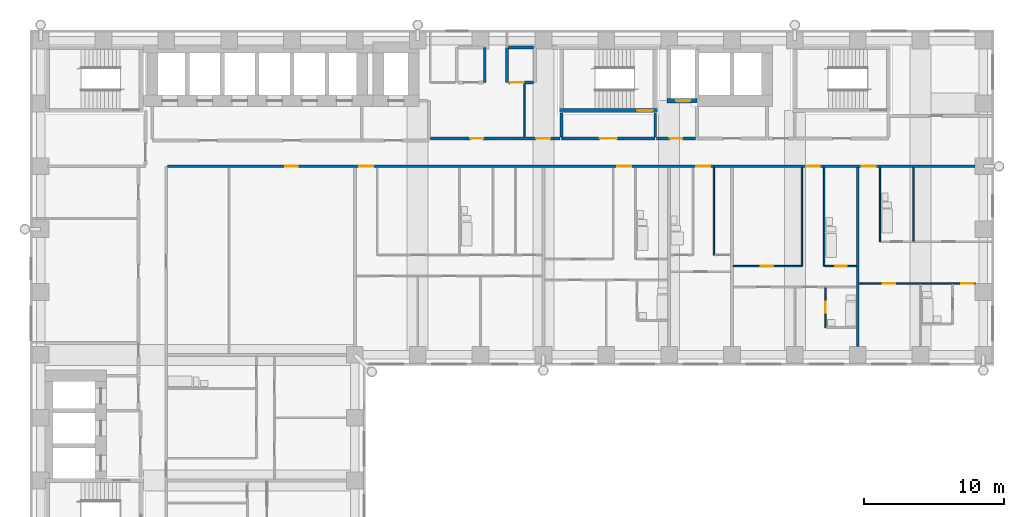
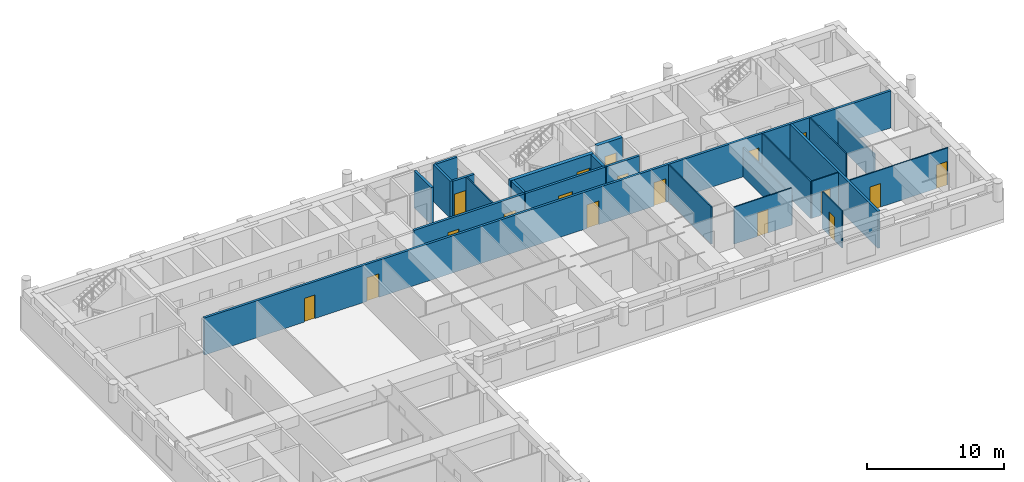
# One storey, part 9 of 14: 23 walls, 18 doors, 18 openings.
"""IFC4 building model written with IfcOpenShell, lengths in metres."""

from ifc_helpers import new_model, si_unit, direction, frame, frame_2d, origin, place, context, subcontext, project, spatial, rectangle, extrude, material, layer, layer_set, type_object, element, fill, save


model = new_model("IFC4")

# Units and contexts
model_context = context("Model", 3, precision=1e-05, world=origin(), true_north=direction((0.0, 1.0)))
body_context = subcontext(model_context, "Body", "Model", "MODEL_VIEW")
ifc_project = project(units=[si_unit("LENGTHUNIT", "METRE"), si_unit("AREAUNIT", "SQUARE_METRE"), si_unit("VOLUMEUNIT", "CUBIC_METRE"), si_unit("PLANEANGLEUNIT", "RADIAN"), si_unit("MASSUNIT", "GRAM", prefix="KILO")], contexts=[model_context])

# Site, building, storey
site_placement = place(None, origin())
site = spatial("IfcSite", under=ifc_project, at=site_placement, CompositionType="ELEMENT")
building_placement = place(site_placement, origin())
building = spatial("IfcBuilding", under=site, at=building_placement, Name="Firuza Court", CompositionType="ELEMENT")
storey_placement = place(building_placement, frame((0.0, 0.0, 68.60009765625)))
storey = spatial("IfcBuildingStorey", under=building, at=storey_placement, Name="L16", CompositionType="ELEMENT", Elevation=68.60009765625)

# Wall, opening, door
ifc_material_1 = material(Name="Moisture-resistant gypsum board partition")
ifc_layer_1 = layer(ifc_material_1, 0.10009765625)
ifc_layer_set_1 = layer_set([ifc_layer_1], Name="Moisture-resistant gypsum board partition")
wall_type_1 = type_object("IfcWallType", Name="Bathroom partition 100", PredefinedType="PLUMBINGWALL", material=ifc_layer_set_1)
wall_1_placement = place(storey_placement, frame((56.199951171875, 37.949951171875, 0.0), z_axis=(0.0, 0.0, 1.0), x_axis=(0.0, 1.0, 0.0)))
wall_1 = element("IfcWall", 1, at=wall_1_placement, inside=storey, type_object=wall_type_1, Name="Bathroom partition 100 L16", PredefinedType="PLUMBINGWALL", context=body_context, shape_type="SweptSolid", body=[
    extrude(rectangle(XDim=2.85009765625, YDim=0.10009765625, at=frame_2d((1.425048828125, 0.0))), origin(), (0.0, 0.0, 1.0), 3.2998046875),
])
opening_1_placement = place(wall_1_placement, frame((1.050048828125, 0.0, 0.0)))
opening_1 = element("IfcOpeningElement", 2, at=opening_1_placement, cuts=wall_1, Name="Opening D16044", PredefinedType="OPENING", context=body_context, shape_type="SweptSolid", body=[
    extrude(rectangle(XDim=0.800048828125, YDim=2.10009765625, at=frame_2d((0.39990234375, 1.050048828125))), frame((0.0, 0.06201171875, 0.0), z_axis=(0.0, -1.0, 0.0), x_axis=(1.0, 0.0, 0.0)), (0.0, 0.0, 1.0), 0.1240234375),
])
ifc_material_2 = material(Name="Timber door leaf in hardwood frame", Category="wood")
door_type_1 = type_object("IfcDoorType", Name="Bathroom door 800", OperationType="SINGLE_SWING_LEFT", PredefinedType="DOOR", material=ifc_material_2)
door_1_placement = place(opening_1_placement, frame((0.800048828125, 0.0, 0.0), z_axis=(0.0, 0.0, 1.0), x_axis=(-1.0, 0.0, 0.0)))
door_1 = element("IfcDoor", 3, at=door_1_placement, inside=storey, type_object=door_type_1, Name="En-suite door", OperationType="SINGLE_SWING_RIGHT", OverallHeight=2.10009765625, OverallWidth=0.800048828125, PredefinedType="DOOR", context=body_context, shape_type="SweptSolid", body=[
    extrude(rectangle(XDim=0.800048828125, YDim=2.10009765625, at=frame_2d((0.39990234375, 1.050048828125))), frame((0.0, 0.02490234375, 0.0), z_axis=(0.0, -1.0, 0.0), x_axis=(1.0, 0.0, 0.0)), (0.0, 0.0, 1.0), 0.050048828125),
])
fill(opening_1, door_1)

# Walls
wall_2_placement = place(storey_placement, frame((56.10009765625, 42.35009765625, 0.0), z_axis=(0.0, 0.0, 1.0), x_axis=(0.0, 1.0, 0.0)))
element("IfcWall", 4, at=wall_2_placement, inside=storey, type_object=wall_type_1, Name="Bathroom partition 100 L16", PredefinedType="PLUMBINGWALL", context=body_context, shape_type="SweptSolid", body=[
    extrude(rectangle(XDim=7.0498046875, YDim=0.10009765625, at=frame_2d((3.52490234375, 0.0))), origin(), (0.0, 0.0, 1.0), 3.2998046875),
])
wall_3_placement = place(storey_placement, frame((60.10009765625, 44.10009765625, 0.0), z_axis=(0.0, 0.0, 1.0), x_axis=(0.0, 1.0, 0.0)))
element("IfcWall", 5, at=wall_3_placement, inside=storey, type_object=wall_type_1, Name="Bathroom partition 100 L16", PredefinedType="PLUMBINGWALL", context=body_context, shape_type="SweptSolid", body=[
    extrude(rectangle(XDim=5.2998046875, YDim=0.10009765625, at=frame_2d((2.64990234375, 0.0))), origin(), (0.0, 0.0, 1.0), 3.2998046875),
])
wall_4_placement = place(storey_placement, frame((62.5, 44.14990234375, 0.0), z_axis=(0.0, 0.0, 1.0), x_axis=(0.0, 1.0, 0.0)))
element("IfcWall", 6, at=wall_4_placement, inside=storey, type_object=wall_type_1, Name="Bathroom partition 100 L16", PredefinedType="PLUMBINGWALL", context=body_context, shape_type="SweptSolid", body=[
    extrude(rectangle(XDim=5.25, YDim=0.10009765625, at=frame_2d((2.625, 0.0))), origin(), (0.0, 0.0, 1.0), 2.39990234375),
])

# Wall, opening, door
ifc_material_3 = material(Name="Concrete C60/75", Category="concrete")
ifc_layer_2 = layer(ifc_material_3, 0.300048828125)
ifc_layer_set_2 = layer_set([ifc_layer_2], Name="Concrete C60/75")
wall_type_2 = type_object("IfcWallType", Name="Core wall 300 C60/75", PredefinedType="SHEAR", material=ifc_layer_set_2)
wall_5_placement = place(storey_placement, frame((37.14990234375, 53.5, -0.300048828125), z_axis=(0.0, 0.0, 1.0), x_axis=(1.0, 0.0, 0.0)))
wall_5 = element("IfcWall", 7, at=wall_5_placement, inside=storey, type_object=wall_type_2, Name="Core wall stair L16", PredefinedType="SHEAR", context=body_context, shape_type="SweptSolid", body=[
    extrude(rectangle(XDim=7.0, YDim=0.300048828125, at=frame_2d((3.5, 0.0))), origin(), (0.0, 0.0, 1.0), 3.599853515625),
])
opening_2_placement = place(wall_5_placement, frame((5.580078125, 0.0, 0.300048828125)))
opening_2 = element("IfcOpeningElement", 8, at=opening_2_placement, cuts=wall_5, Name="Opening D16013", PredefinedType="OPENING", context=body_context, shape_type="SweptSolid", body=[
    extrude(rectangle(XDim=1.10009765625, YDim=2.10009765625, at=frame_2d((0.550048828125, 1.050048828125))), frame((0.0, 0.162109375, 0.0), z_axis=(0.0, -1.0, 0.0), x_axis=(1.0, 0.0, 0.0)), (0.0, 0.0, 1.0), 0.323974609375),
])
ifc_material_4 = material(Name="Timber door leaf in hardwood frame", Category="wood")
door_type_2 = type_object("IfcDoorType", Name="Stair door 1100", OperationType="SINGLE_SWING_LEFT", PredefinedType="DOOR", material=ifc_material_4)
door_2_placement = place(opening_2_placement, origin())
door_2 = element("IfcDoor", 9, at=door_2_placement, inside=storey, type_object=door_type_2, Name="Stair door S1", OperationType="SINGLE_SWING_RIGHT", OverallHeight=2.10009765625, OverallWidth=1.10009765625, PredefinedType="DOOR", context=body_context, shape_type="SweptSolid", body=[
    extrude(rectangle(XDim=1.10009765625, YDim=2.10009765625, at=frame_2d((0.550048828125, 1.050048828125))), frame((0.0, 0.02490234375, 0.0), z_axis=(0.0, -1.0, 0.0), x_axis=(1.0, 0.0, 0.0)), (0.0, 0.0, 1.0), 0.050048828125),
])
fill(opening_2, door_2)

wall_6_placement = place(storey_placement, frame((44.85009765625, 54.199951171875, -0.300048828125), z_axis=(0.0, 0.0, 1.0), x_axis=(1.0, 0.0, 0.0)))
wall_6 = element("IfcWall", 10, at=wall_6_placement, inside=storey, type_object=wall_type_2, Name="Core wall riser L16", PredefinedType="SHEAR", context=body_context, shape_type="SweptSolid", body=[
    extrude(rectangle(XDim=2.14990234375, YDim=0.300048828125, at=frame_2d((1.074951171875, 0.0))), origin(), (0.0, 0.0, 1.0), 3.599853515625),
])
opening_3_placement = place(wall_6_placement, frame((0.64990234375, 0.0, 0.300048828125)))
opening_3 = element("IfcOpeningElement", 11, at=opening_3_placement, cuts=wall_6, Name="Opening D16011", PredefinedType="OPENING", context=body_context, shape_type="SweptSolid", body=[
    extrude(rectangle(XDim=1.0, YDim=2.10009765625, at=frame_2d((0.5, 1.050048828125))), frame((0.0, 0.162109375, 0.0), z_axis=(0.0, -1.0, 0.0), x_axis=(1.0, 0.0, 0.0)), (0.0, 0.0, 1.0), 0.323974609375),
])
ifc_material_5 = material(Name="Timber door leaf in hardwood frame", Category="wood")
door_type_3 = type_object("IfcDoorType", Name="Riser door 1000", OperationType="SINGLE_SWING_LEFT", PredefinedType="DOOR", material=ifc_material_5)
door_3_placement = place(opening_3_placement, origin())
door_3 = element("IfcDoor", 12, at=door_3_placement, inside=storey, type_object=door_type_3, Name="Riser door R3", OperationType="SINGLE_SWING_LEFT", OverallHeight=2.10009765625, OverallWidth=1.0, PredefinedType="DOOR", context=body_context, shape_type="SweptSolid", body=[
    extrude(rectangle(XDim=1.0, YDim=2.10009765625, at=frame_2d((0.5, 1.050048828125))), frame((0.0, 0.02490234375, 0.0), z_axis=(0.0, -1.0, 0.0), x_axis=(1.0, 0.0, 0.0)), (0.0, 0.0, 1.0), 0.050048828125),
])
fill(opening_3, door_3)

# Wall, openings, doors
ifc_material_6 = material(Name="Blockwork, plastered both sides", Category="masonry")
ifc_layer_3 = layer(ifc_material_6, 0.199951171875)
ifc_layer_set_3 = layer_set([ifc_layer_3], Name="Blockwork, plastered both sides")
wall_type_3 = type_object("IfcWallType", Name="Corridor wall 200", PredefinedType="PARTITIONING", material=ifc_layer_set_3)
wall_7_placement = place(storey_placement, frame((9.10009765625, 49.5, 0.0), z_axis=(0.0, 0.0, 1.0), x_axis=(1.0, 0.0, 0.0)))
wall_7 = element("IfcWall", 13, at=wall_7_placement, inside=storey, type_object=wall_type_3, Name="Corridor wall 200 L16", PredefinedType="PARTITIONING", context=body_context, shape_type="SweptSolid", body=[
    extrude(rectangle(XDim=57.7998046875, YDim=0.199951171875, at=frame_2d((28.89990234375, 0.0))), origin(), (0.0, 0.0, 1.0), 3.2998046875),
])
opening_4_placement = place(wall_7_placement, frame((13.699951171875, 0.0, 0.0)))
opening_4 = element("IfcOpeningElement", 14, at=opening_4_placement, cuts=wall_7, Name="Opening D16069", PredefinedType="OPENING", context=body_context, shape_type="SweptSolid", body=[
    extrude(rectangle(XDim=1.0, YDim=2.10009765625, at=frame_2d((0.5, 1.050048828125))), frame((0.0, 0.11181640625, 0.0), z_axis=(0.0, -1.0, 0.0), x_axis=(1.0, 0.0, 0.0)), (0.0, 0.0, 1.0), 0.223876953125),
])
opening_5_placement = place(wall_7_placement, frame((32.199951171875, 0.0, 0.0)))
opening_5 = element("IfcOpeningElement", 15, at=opening_5_placement, cuts=wall_7, Name="Opening D16070", PredefinedType="OPENING", context=body_context, shape_type="SweptSolid", body=[
    extrude(rectangle(XDim=1.0, YDim=2.10009765625, at=frame_2d((0.5, 1.050048828125))), frame((0.0, 0.11181640625, 0.0), z_axis=(0.0, -1.0, 0.0), x_axis=(1.0, 0.0, 0.0)), (0.0, 0.0, 1.0), 0.223876953125),
])
opening_6_placement = place(wall_7_placement, frame((37.85009765625, 0.0, 0.0)))
opening_6 = element("IfcOpeningElement", 16, at=opening_6_placement, cuts=wall_7, Name="Opening D16071", PredefinedType="OPENING", context=body_context, shape_type="SweptSolid", body=[
    extrude(rectangle(XDim=1.0, YDim=2.10009765625, at=frame_2d((0.5, 1.050048828125))), frame((0.0, 0.11181640625, 0.0), z_axis=(0.0, -1.0, 0.0), x_axis=(1.0, 0.0, 0.0)), (0.0, 0.0, 1.0), 0.223876953125),
])
opening_7_placement = place(wall_7_placement, frame((45.699951171875, 0.0, 0.0)))
opening_7 = element("IfcOpeningElement", 17, at=opening_7_placement, cuts=wall_7, Name="Opening D16072", PredefinedType="OPENING", context=body_context, shape_type="SweptSolid", body=[
    extrude(rectangle(XDim=1.0, YDim=2.10009765625, at=frame_2d((0.5, 1.050048828125))), frame((0.0, 0.11181640625, 0.0), z_axis=(0.0, -1.0, 0.0), x_axis=(1.0, 0.0, 0.0)), (0.0, 0.0, 1.0), 0.223876953125),
])
opening_8_placement = place(wall_7_placement, frame((49.699951171875, 0.0, 0.0)))
opening_8 = element("IfcOpeningElement", 18, at=opening_8_placement, cuts=wall_7, Name="Opening D16073", PredefinedType="OPENING", context=body_context, shape_type="SweptSolid", body=[
    extrude(rectangle(XDim=1.0, YDim=2.10009765625, at=frame_2d((0.5, 1.050048828125))), frame((0.0, 0.11181640625, 0.0), z_axis=(0.0, -1.0, 0.0), x_axis=(1.0, 0.0, 0.0)), (0.0, 0.0, 1.0), 0.223876953125),
])
opening_9_placement = place(wall_7_placement, frame((8.39990234375, 0.0, 0.0)))
opening_9 = element("IfcOpeningElement", 19, at=opening_9_placement, cuts=wall_7, Name="Opening D16074", PredefinedType="OPENING", context=body_context, shape_type="SweptSolid", body=[
    extrude(rectangle(XDim=0.89990234375, YDim=2.10009765625, at=frame_2d((0.449951171875, 1.050048828125))), frame((0.0, 0.11181640625, 0.0), z_axis=(0.0, -1.0, 0.0), x_axis=(1.0, 0.0, 0.0)), (0.0, 0.0, 1.0), 0.223876953125),
])
ifc_material_7 = material(Name="Timber door leaf in hardwood frame", Category="wood")
door_type_4 = type_object("IfcDoorType", Name="Flat entrance door 1000", OperationType="SINGLE_SWING_LEFT", PredefinedType="DOOR", material=ifc_material_7)
door_4_placement = place(opening_4_placement, origin())
door_4 = element("IfcDoor", 20, at=door_4_placement, inside=storey, type_object=door_type_4, Name="Flat entrance door", OperationType="SINGLE_SWING_LEFT", OverallHeight=2.10009765625, OverallWidth=1.0, PredefinedType="DOOR", context=body_context, shape_type="SweptSolid", body=[
    extrude(rectangle(XDim=1.0, YDim=2.10009765625, at=frame_2d((0.5, 1.050048828125))), frame((0.0, 0.02490234375, 0.0), z_axis=(0.0, -1.0, 0.0), x_axis=(1.0, 0.0, 0.0)), (0.0, 0.0, 1.0), 0.050048828125),
])
fill(opening_4, door_4)
door_5_placement = place(opening_5_placement, origin())
door_5 = element("IfcDoor", 21, at=door_5_placement, inside=storey, type_object=door_type_4, Name="Flat entrance door", OperationType="SINGLE_SWING_LEFT", OverallHeight=2.10009765625, OverallWidth=1.0, PredefinedType="DOOR", context=body_context, shape_type="SweptSolid", body=[
    extrude(rectangle(XDim=1.0, YDim=2.10009765625, at=frame_2d((0.5, 1.050048828125))), frame((0.0, 0.02490234375, 0.0), z_axis=(0.0, -1.0, 0.0), x_axis=(1.0, 0.0, 0.0)), (0.0, 0.0, 1.0), 0.050048828125),
])
fill(opening_5, door_5)
door_6_placement = place(opening_6_placement, origin())
door_6 = element("IfcDoor", 22, at=door_6_placement, inside=storey, type_object=door_type_4, Name="Flat entrance door", OperationType="SINGLE_SWING_LEFT", OverallHeight=2.10009765625, OverallWidth=1.0, PredefinedType="DOOR", context=body_context, shape_type="SweptSolid", body=[
    extrude(rectangle(XDim=1.0, YDim=2.10009765625, at=frame_2d((0.5, 1.050048828125))), frame((0.0, 0.02490234375, 0.0), z_axis=(0.0, -1.0, 0.0), x_axis=(1.0, 0.0, 0.0)), (0.0, 0.0, 1.0), 0.050048828125),
])
fill(opening_6, door_6)
door_7_placement = place(opening_7_placement, origin())
door_7 = element("IfcDoor", 23, at=door_7_placement, inside=storey, type_object=door_type_4, Name="Flat entrance door", OperationType="SINGLE_SWING_LEFT", OverallHeight=2.10009765625, OverallWidth=1.0, PredefinedType="DOOR", context=body_context, shape_type="SweptSolid", body=[
    extrude(rectangle(XDim=1.0, YDim=2.10009765625, at=frame_2d((0.5, 1.050048828125))), frame((0.0, 0.02490234375, 0.0), z_axis=(0.0, -1.0, 0.0), x_axis=(1.0, 0.0, 0.0)), (0.0, 0.0, 1.0), 0.050048828125),
])
fill(opening_7, door_7)
door_8_placement = place(opening_8_placement, origin())
door_8 = element("IfcDoor", 24, at=door_8_placement, inside=storey, type_object=door_type_4, Name="Flat entrance door", OperationType="SINGLE_SWING_LEFT", OverallHeight=2.10009765625, OverallWidth=1.0, PredefinedType="DOOR", context=body_context, shape_type="SweptSolid", body=[
    extrude(rectangle(XDim=1.0, YDim=2.10009765625, at=frame_2d((0.5, 1.050048828125))), frame((0.0, 0.02490234375, 0.0), z_axis=(0.0, -1.0, 0.0), x_axis=(1.0, 0.0, 0.0)), (0.0, 0.0, 1.0), 0.050048828125),
])
fill(opening_8, door_8)
ifc_material_8 = material(Name="Timber door leaf in hardwood frame", Category="wood")
door_type_5 = type_object("IfcDoorType", Name="Room door 900 EI 30", OperationType="SINGLE_SWING_LEFT", PredefinedType="DOOR", material=ifc_material_8)
door_9_placement = place(opening_9_placement, origin())
door_9 = element("IfcDoor", 25, at=door_9_placement, inside=storey, type_object=door_type_5, Name="Residents' lounge door", OperationType="SINGLE_SWING_LEFT", OverallHeight=2.10009765625, OverallWidth=0.89990234375, PredefinedType="DOOR", context=body_context, shape_type="SweptSolid", body=[
    extrude(rectangle(XDim=0.89990234375, YDim=2.10009765625, at=frame_2d((0.449951171875, 1.050048828125))), frame((0.0, 0.02490234375, 0.0), z_axis=(0.0, -1.0, 0.0), x_axis=(1.0, 0.0, 0.0)), (0.0, 0.0, 1.0), 0.050048828125),
])
fill(opening_9, door_9)

wall_8_placement = place(storey_placement, frame((27.89990234375, 51.5, 0.0), z_axis=(0.0, 0.0, 1.0), x_axis=(1.0, 0.0, 0.0)))
wall_8 = element("IfcWall", 26, at=wall_8_placement, inside=storey, type_object=wall_type_3, Name="Corridor wall 200 L16", PredefinedType="PARTITIONING", context=body_context, shape_type="SweptSolid", body=[
    extrude(rectangle(XDim=9.300048828125, YDim=0.199951171875, at=frame_2d((4.64990234375, 0.0))), origin(), (0.0, 0.0, 1.0), 3.2998046875),
])
opening_10_placement = place(wall_8_placement, frame((2.875, 0.0, 0.0)))
opening_10 = element("IfcOpeningElement", 27, at=opening_10_placement, cuts=wall_8, Name="Opening D16075", PredefinedType="OPENING", context=body_context, shape_type="SweptSolid", body=[
    extrude(rectangle(XDim=0.89990234375, YDim=2.10009765625, at=frame_2d((0.449951171875, 1.050048828125))), frame((0.0, 0.11181640625, 0.0), z_axis=(0.0, -1.0, 0.0), x_axis=(1.0, 0.0, 0.0)), (0.0, 0.0, 1.0), 0.223876953125),
])
opening_11_placement = place(wall_8_placement, frame((7.574951171875, 0.0, 0.0)))
opening_11 = element("IfcOpeningElement", 28, at=opening_11_placement, cuts=wall_8, Name="Opening D16076", PredefinedType="OPENING", context=body_context, shape_type="SweptSolid", body=[
    extrude(rectangle(XDim=1.0, YDim=2.10009765625, at=frame_2d((0.5, 1.050048828125))), frame((0.0, 0.11181640625, 0.0), z_axis=(0.0, -1.0, 0.0), x_axis=(1.0, 0.0, 0.0)), (0.0, 0.0, 1.0), 0.223876953125),
])
door_10_placement = place(opening_10_placement, origin())
door_10 = element("IfcDoor", 29, at=door_10_placement, inside=storey, type_object=door_type_5, Name="Meeting room door", OperationType="SINGLE_SWING_LEFT", OverallHeight=2.10009765625, OverallWidth=0.89990234375, PredefinedType="DOOR", context=body_context, shape_type="SweptSolid", body=[
    extrude(rectangle(XDim=0.89990234375, YDim=2.10009765625, at=frame_2d((0.449951171875, 1.050048828125))), frame((0.0, 0.02490234375, 0.0), z_axis=(0.0, -1.0, 0.0), x_axis=(1.0, 0.0, 0.0)), (0.0, 0.0, 1.0), 0.050048828125),
])
fill(opening_10, door_10)
ifc_material_9 = material(Name="Timber door leaf in hardwood frame", Category="wood")
door_type_6 = type_object("IfcDoorType", Name="Store door 1000", OperationType="SINGLE_SWING_LEFT", PredefinedType="DOOR", material=ifc_material_9)
door_11_placement = place(opening_11_placement, origin())
door_11 = element("IfcDoor", 30, at=door_11_placement, inside=storey, type_object=door_type_6, Name="Cleaner's store door", OperationType="SINGLE_SWING_LEFT", OverallHeight=2.10009765625, OverallWidth=1.0, PredefinedType="DOOR", context=body_context, shape_type="SweptSolid", body=[
    extrude(rectangle(XDim=1.0, YDim=2.10009765625, at=frame_2d((0.5, 1.050048828125))), frame((0.0, 0.02490234375, 0.0), z_axis=(0.0, -1.0, 0.0), x_axis=(1.0, 0.0, 0.0)), (0.0, 0.0, 1.0), 0.050048828125),
])
fill(opening_11, door_11)

# Wall, opening, door
wall_9_placement = place(storey_placement, frame((44.10009765625, 51.5, 0.0), z_axis=(0.0, 0.0, 1.0), x_axis=(1.0, 0.0, 0.0)))
wall_9 = element("IfcWall", 31, at=wall_9_placement, inside=storey, type_object=wall_type_3, Name="Corridor wall 200 L16", PredefinedType="PARTITIONING", context=body_context, shape_type="SweptSolid", body=[
    extrude(rectangle(XDim=2.7998046875, YDim=0.199951171875, at=frame_2d((1.39990234375, 0.0))), origin(), (0.0, 0.0, 1.0), 3.2998046875),
])
opening_12_placement = place(wall_9_placement, frame((0.949951171875, 0.0, 0.0)))
opening_12 = element("IfcOpeningElement", 32, at=opening_12_placement, cuts=wall_9, Name="Opening D16077", PredefinedType="OPENING", context=body_context, shape_type="SweptSolid", body=[
    extrude(rectangle(XDim=0.89990234375, YDim=2.10009765625, at=frame_2d((0.449951171875, 1.050048828125))), frame((0.0, 0.11181640625, 0.0), z_axis=(0.0, -1.0, 0.0), x_axis=(1.0, 0.0, 0.0)), (0.0, 0.0, 1.0), 0.223876953125),
])
door_12_placement = place(opening_12_placement, origin())
door_12 = element("IfcDoor", 33, at=door_12_placement, inside=storey, type_object=door_type_5, Name="Concierge room door", OperationType="SINGLE_SWING_LEFT", OverallHeight=2.10009765625, OverallWidth=0.89990234375, PredefinedType="DOOR", context=body_context, shape_type="SweptSolid", body=[
    extrude(rectangle(XDim=0.89990234375, YDim=2.10009765625, at=frame_2d((0.449951171875, 1.050048828125))), frame((0.0, 0.02490234375, 0.0), z_axis=(0.0, -1.0, 0.0), x_axis=(1.0, 0.0, 0.0)), (0.0, 0.0, 1.0), 0.050048828125),
])
fill(opening_12, door_12)

# Wall, openings, doors
ifc_material_10 = material(Name="Timber stud partition, plasterboard both sides", Category="wood")
ifc_layer_4 = layer(ifc_material_10, 0.10009765625)
ifc_layer_set_4 = layer_set([ifc_layer_4], Name="Timber stud partition, plasterboard both sides")
wall_type_4 = type_object("IfcWallType", Name="Partition wall 100", PredefinedType="PARTITIONING", material=ifc_layer_set_4)
wall_10_placement = place(storey_placement, frame((58.60009765625, 41.10009765625, 0.0), z_axis=(0.0, 0.0, 1.0), x_axis=(1.0, 0.0, 0.0)))
wall_10 = element("IfcWall", 34, at=wall_10_placement, inside=storey, type_object=wall_type_4, Name="Partition wall 100 L16", PredefinedType="PARTITIONING", context=body_context, shape_type="SweptSolid", body=[
    extrude(rectangle(XDim=8.2998046875, YDim=0.10009765625, at=frame_2d((4.14990234375, 0.0))), origin(), (0.0, 0.0, 1.0), 3.2998046875),
])
opening_13_placement = place(wall_10_placement, frame((1.699951171875, 0.0, 0.0)))
opening_13 = element("IfcOpeningElement", 35, at=opening_13_placement, cuts=wall_10, Name="Opening D16049", PredefinedType="OPENING", context=body_context, shape_type="SweptSolid", body=[
    extrude(rectangle(XDim=0.89990234375, YDim=2.10009765625, at=frame_2d((0.449951171875, 1.050048828125))), frame((0.0, 0.06201171875, 0.0), z_axis=(0.0, -1.0, 0.0), x_axis=(1.0, 0.0, 0.0)), (0.0, 0.0, 1.0), 0.1240234375),
])
opening_14_placement = place(wall_10_placement, frame((7.300048828125, 0.0, 0.0)))
opening_14 = element("IfcOpeningElement", 36, at=opening_14_placement, cuts=wall_10, Name="Opening D16050", PredefinedType="OPENING", context=body_context, shape_type="SweptSolid", body=[
    extrude(rectangle(XDim=0.89990234375, YDim=2.10009765625, at=frame_2d((0.449951171875, 1.050048828125))), frame((0.0, 0.06201171875, 0.0), z_axis=(0.0, -1.0, 0.0), x_axis=(1.0, 0.0, 0.0)), (0.0, 0.0, 1.0), 0.1240234375),
])
ifc_material_11 = material(Name="Timber door leaf in hardwood frame", Category="wood")
door_type_7 = type_object("IfcDoorType", Name="Room door 900", OperationType="SINGLE_SWING_LEFT", PredefinedType="DOOR", material=ifc_material_11)
door_13_placement = place(opening_13_placement, frame((0.89990234375, 0.0, 0.0), z_axis=(0.0, 0.0, 1.0), x_axis=(-1.0, 0.0, 0.0)))
door_13 = element("IfcDoor", 37, at=door_13_placement, inside=storey, type_object=door_type_7, Name="Living room door", OperationType="SINGLE_SWING_RIGHT", OverallHeight=2.10009765625, OverallWidth=0.89990234375, PredefinedType="DOOR", context=body_context, shape_type="SweptSolid", body=[
    extrude(rectangle(XDim=0.89990234375, YDim=2.10009765625, at=frame_2d((0.449951171875, 1.050048828125))), frame((0.0, 0.02490234375, 0.0), z_axis=(0.0, -1.0, 0.0), x_axis=(1.0, 0.0, 0.0)), (0.0, 0.0, 1.0), 0.050048828125),
])
fill(opening_13, door_13)
door_14_placement = place(opening_14_placement, frame((0.89990234375, 0.0, 0.0), z_axis=(0.0, 0.0, 1.0), x_axis=(-1.0, 0.0, 0.0)))
door_14 = element("IfcDoor", 38, at=door_14_placement, inside=storey, type_object=door_type_7, Name="Bedroom door", OperationType="SINGLE_SWING_LEFT", OverallHeight=2.10009765625, OverallWidth=0.89990234375, PredefinedType="DOOR", context=body_context, shape_type="SweptSolid", body=[
    extrude(rectangle(XDim=0.89990234375, YDim=2.10009765625, at=frame_2d((0.449951171875, 1.050048828125))), frame((0.0, 0.02490234375, 0.0), z_axis=(0.0, -1.0, 0.0), x_axis=(1.0, 0.0, 0.0)), (0.0, 0.0, 1.0), 0.050048828125),
])
fill(opening_14, door_14)

# Wall, opening, door
wall_11_placement = place(storey_placement, frame((49.60009765625, 42.35009765625, 0.0), z_axis=(0.0, 0.0, 1.0), x_axis=(1.0, 0.0, 0.0)))
wall_11 = element("IfcWall", 39, at=wall_11_placement, inside=storey, type_object=wall_type_4, Name="Partition wall 100 L16", PredefinedType="PARTITIONING", context=body_context, shape_type="SweptSolid", body=[
    extrude(rectangle(XDim=4.849853515625, YDim=0.10009765625, at=frame_2d((2.4248046875, 0.0))), origin(), (0.0, 0.0, 1.0), 3.2998046875),
])
opening_15_placement = place(wall_11_placement, frame((1.949951171875, 0.0, 0.0)))
opening_15 = element("IfcOpeningElement", 40, at=opening_15_placement, cuts=wall_11, Name="Opening D16057", PredefinedType="OPENING", context=body_context, shape_type="SweptSolid", body=[
    extrude(rectangle(XDim=0.89990234375, YDim=2.10009765625, at=frame_2d((0.449951171875, 1.050048828125))), frame((0.0, 0.06201171875, 0.0), z_axis=(0.0, -1.0, 0.0), x_axis=(1.0, 0.0, 0.0)), (0.0, 0.0, 1.0), 0.1240234375),
])
door_15_placement = place(opening_15_placement, origin())
door_15 = element("IfcDoor", 41, at=door_15_placement, inside=storey, type_object=door_type_7, Name="Kitchen door", OperationType="SINGLE_SWING_LEFT", OverallHeight=2.10009765625, OverallWidth=0.89990234375, PredefinedType="DOOR", context=body_context, shape_type="SweptSolid", body=[
    extrude(rectangle(XDim=0.89990234375, YDim=2.10009765625, at=frame_2d((0.449951171875, 1.050048828125))), frame((0.0, 0.02490234375, 0.0), z_axis=(0.0, -1.0, 0.0), x_axis=(1.0, 0.0, 0.0)), (0.0, 0.0, 1.0), 0.050048828125),
])
fill(opening_15, door_15)

# Wall
wall_12_placement = place(storey_placement, frame((54.5, 42.35009765625, 0.0), z_axis=(0.0, 0.0, 1.0), x_axis=(0.0, 1.0, 0.0)))
element("IfcWall", 42, at=wall_12_placement, inside=storey, type_object=wall_type_4, Name="Partition wall 100 L16", PredefinedType="PARTITIONING", context=body_context, shape_type="SweptSolid", body=[
    extrude(rectangle(XDim=7.0498046875, YDim=0.10009765625, at=frame_2d((3.52490234375, 0.0))), origin(), (0.0, 0.0, 1.0), 2.599853515625),
])

# Wall, opening, door
wall_13_placement = place(storey_placement, frame((56.14990234375, 42.35009765625, 0.0), z_axis=(0.0, 0.0, 1.0), x_axis=(1.0, 0.0, 0.0)))
wall_13 = element("IfcWall", 43, at=wall_13_placement, inside=storey, type_object=wall_type_4, Name="Partition wall 100 L16", PredefinedType="PARTITIONING", context=body_context, shape_type="SweptSolid", body=[
    extrude(rectangle(XDim=2.25, YDim=0.10009765625, at=frame_2d((1.125, 0.0))), origin(), (0.0, 0.0, 1.0), 3.2998046875),
])
opening_16_placement = place(wall_13_placement, frame((0.75, 0.0, 0.0)))
opening_16 = element("IfcOpeningElement", 44, at=opening_16_placement, cuts=wall_13, Name="Opening D16058", PredefinedType="OPENING", context=body_context, shape_type="SweptSolid", body=[
    extrude(rectangle(XDim=0.800048828125, YDim=2.10009765625, at=frame_2d((0.39990234375, 1.050048828125))), frame((0.0, 0.06201171875, 0.0), z_axis=(0.0, -1.0, 0.0), x_axis=(1.0, 0.0, 0.0)), (0.0, 0.0, 1.0), 0.1240234375),
])
door_16_placement = place(opening_16_placement, origin())
door_16 = element("IfcDoor", 45, at=door_16_placement, inside=storey, type_object=door_type_1, Name="Bathroom door", OperationType="SINGLE_SWING_LEFT", OverallHeight=2.10009765625, OverallWidth=0.800048828125, PredefinedType="DOOR", context=body_context, shape_type="SweptSolid", body=[
    extrude(rectangle(XDim=0.800048828125, YDim=2.10009765625, at=frame_2d((0.39990234375, 1.050048828125))), frame((0.0, 0.02490234375, 0.0), z_axis=(0.0, -1.0, 0.0), x_axis=(1.0, 0.0, 0.0)), (0.0, 0.0, 1.0), 0.050048828125),
])
fill(opening_16, door_16)

# Walls
wall_14_placement = place(storey_placement, frame((48.199951171875, 43.14990234375, 0.0), z_axis=(0.0, 0.0, 1.0), x_axis=(0.0, 1.0, 0.0)))
element("IfcWall", 46, at=wall_14_placement, inside=storey, type_object=wall_type_4, Name="Partition wall 100 L16", PredefinedType="PARTITIONING", context=body_context, shape_type="SweptSolid", body=[
    extrude(rectangle(XDim=6.25, YDim=0.10009765625, at=frame_2d((3.125, 0.0))), origin(), (0.0, 0.0, 1.0), 3.2998046875),
])
wall_15_placement = place(storey_placement, frame((34.64990234375, 51.60009765625, 0.0), z_axis=(0.0, 0.0, 1.0), x_axis=(0.0, 1.0, 0.0)))
element("IfcWall", 47, at=wall_15_placement, inside=storey, type_object=wall_type_4, Name="Partition wall 100 L16", PredefinedType="PARTITIONING", context=body_context, shape_type="SweptSolid", body=[
    extrude(rectangle(XDim=3.7998046875, YDim=0.10009765625, at=frame_2d((1.89990234375, 0.0))), origin(), (0.0, 0.0, 1.0), 3.2998046875),
])
ifc_layer_5 = layer(ifc_material_6, 0.199951171875)
ifc_layer_set_5 = layer_set([ifc_layer_5], Name="Blockwork, plastered both sides")
wall_type_5 = type_object("IfcWallType", Name="Party wall 200", PredefinedType="PARTITIONING", material=ifc_layer_set_5)
wall_16_placement = place(storey_placement, frame((58.5, 36.60009765625, 0.0), z_axis=(0.0, 0.0, 1.0), x_axis=(0.0, 1.0, 0.0)))
element("IfcWall", 48, at=wall_16_placement, inside=storey, type_object=wall_type_5, Name="Party wall 200 L16", PredefinedType="PARTITIONING", context=body_context, shape_type="SweptSolid", body=[
    extrude(rectangle(XDim=12.7998046875, YDim=0.199951171875, at=frame_2d((6.39990234375, 0.0))), origin(), (0.0, 0.0, 1.0), 3.2998046875),
])
ifc_material_12 = material(Name="Blockwork, fire-rated", Category="masonry")
ifc_layer_6 = layer(ifc_material_12, 0.199951171875)
ifc_layer_set_6 = layer_set([ifc_layer_6], Name="Blockwork, fire-rated")
wall_type_6 = type_object("IfcWallType", Name="Plant room wall 200", PredefinedType="PARTITIONING", material=ifc_layer_set_6)
for number, where, z_axis, x_axis, name in (
    (49, (31.800048828125, 55.5, 0.0), (0.0, 0.0, 1.0), (0.0, 1.0, 0.0), "Plant room wall 200 L16"),
    (50, (33.39990234375, 55.5, 0.0), (0.0, 0.0, 1.0), (0.0, 1.0, 0.0), "Plant room wall 200 L16"),
):
    element("IfcWall", number, at=place(storey_placement, frame(where, z_axis=z_axis, x_axis=x_axis)), inside=storey, type_object=wall_type_6, Name=name, PredefinedType="PARTITIONING", context=body_context, shape_type="SweptSolid", body=[
        extrude(rectangle(XDim=2.5, YDim=0.199951171875, at=frame_2d((1.25, 0.0))), origin(), (0.0, 0.0, 1.0), 3.2998046875),
    ])

# Wall, opening, door
wall_17_placement = place(storey_placement, frame((33.5, 55.5, 0.0), z_axis=(0.0, 0.0, 1.0), x_axis=(1.0, 0.0, 0.0)))
wall_17 = element("IfcWall", 51, at=wall_17_placement, inside=storey, type_object=wall_type_6, Name="Plant room wall 200 L16", PredefinedType="PARTITIONING", context=body_context, shape_type="SweptSolid", body=[
    extrude(rectangle(XDim=1.800048828125, YDim=0.199951171875, at=frame_2d((0.89990234375, 0.0))), origin(), (0.0, 0.0, 1.0), 3.2998046875),
])
opening_17_placement = place(wall_17_placement, frame((0.10009765625, 0.0, 0.0)))
opening_17 = element("IfcOpeningElement", 52, at=opening_17_placement, cuts=wall_17, Name="Opening D16081", PredefinedType="OPENING", context=body_context, shape_type="SweptSolid", body=[
    extrude(rectangle(XDim=1.0, YDim=2.10009765625, at=frame_2d((0.5, 1.050048828125))), frame((0.0, 0.11181640625, 0.0), z_axis=(0.0, -1.0, 0.0), x_axis=(1.0, 0.0, 0.0)), (0.0, 0.0, 1.0), 0.223876953125),
])
door_17_placement = place(opening_17_placement, origin())
door_17 = element("IfcDoor", 53, at=door_17_placement, inside=storey, type_object=door_type_3, Name="Duct riser door", OperationType="SINGLE_SWING_LEFT", OverallHeight=2.10009765625, OverallWidth=1.0, PredefinedType="DOOR", context=body_context, shape_type="SweptSolid", body=[
    extrude(rectangle(XDim=1.0, YDim=2.10009765625, at=frame_2d((0.5, 1.050048828125))), frame((0.0, 0.02490234375, 0.0), z_axis=(0.0, -1.0, 0.0), x_axis=(1.0, 0.0, 0.0)), (0.0, 0.0, 1.0), 0.050048828125),
])
fill(opening_17, door_17)

# Wall
wall_18_placement = place(storey_placement, frame((33.5, 58.0, 0.0), z_axis=(0.0, 0.0, 1.0), x_axis=(1.0, 0.0, 0.0)))
element("IfcWall", 54, at=wall_18_placement, inside=storey, type_object=wall_type_6, Name="Plant room wall 200 L16", PredefinedType="PARTITIONING", context=body_context, shape_type="SweptSolid", body=[
    extrude(rectangle(XDim=1.800048828125, YDim=0.199951171875, at=frame_2d((0.89990234375, 0.0))), origin(), (0.0, 0.0, 1.0), 3.2998046875),
])

# Wall, opening, door
ifc_layer_7 = layer(ifc_material_12, 0.199951171875)
ifc_layer_set_7 = layer_set([ifc_layer_7], Name="Blockwork, fire-rated")
wall_type_7 = type_object("IfcWallType", Name="Shaft wall 200", PredefinedType="PARTITIONING", material=ifc_layer_set_7)
wall_19_placement = place(storey_placement, frame((37.300048828125, 51.5, 0.0), z_axis=(0.0, 0.0, 1.0), x_axis=(1.0, 0.0, 0.0)))
wall_19 = element("IfcWall", 55, at=wall_19_placement, inside=storey, type_object=wall_type_7, Name="Shaft wall 200 L16", PredefinedType="PARTITIONING", context=body_context, shape_type="SweptSolid", body=[
    extrude(rectangle(XDim=6.699951171875, YDim=0.199951171875, at=frame_2d((3.35009765625, 0.0))), origin(), (0.0, 0.0, 1.0), 3.2998046875),
])
opening_18_placement = place(wall_19_placement, frame((2.75, 0.0, 0.0)))
opening_18 = element("IfcOpeningElement", 56, at=opening_18_placement, cuts=wall_19, Name="Opening D16006", PredefinedType="OPENING", context=body_context, shape_type="SweptSolid", body=[
    extrude(rectangle(XDim=1.199951171875, YDim=2.10009765625, at=frame_2d((0.60009765625, 1.050048828125))), frame((0.0, 0.11181640625, 0.0), z_axis=(0.0, -1.0, 0.0), x_axis=(1.0, 0.0, 0.0)), (0.0, 0.0, 1.0), 0.223876953125),
])
ifc_material_13 = material(Name="Timber door leaf in hardwood frame", Category="wood")
door_type_8 = type_object("IfcDoorType", Name="Lobby door 1200", OperationType="SINGLE_SWING_LEFT", PredefinedType="DOOR", material=ifc_material_13)
door_18_placement = place(opening_18_placement, origin())
door_18 = element("IfcDoor", 57, at=door_18_placement, inside=storey, type_object=door_type_8, Name="Lobby door", OperationType="SINGLE_SWING_LEFT", OverallHeight=2.10009765625, OverallWidth=1.199951171875, PredefinedType="DOOR", context=body_context, shape_type="SweptSolid", body=[
    extrude(rectangle(XDim=1.199951171875, YDim=2.10009765625, at=frame_2d((0.60009765625, 1.050048828125))), frame((0.0, 0.02490234375, 0.0), z_axis=(0.0, -1.0, 0.0), x_axis=(1.0, 0.0, 0.0)), (0.0, 0.0, 1.0), 0.050048828125),
])
fill(opening_18, door_18)

# Walls
for number, where, z_axis, x_axis, name in (
    (58, (44.0, 51.60009765625, 0.0), (0.0, 0.0, 1.0), (0.0, 1.0, 0.0), "Shaft wall 200 L16"),
    (59, (37.300048828125, 51.60009765625, 0.0), (0.0, 0.0, 1.0), (0.0, 1.0, 0.0), "Shaft wall 200 L16"),
):
    element("IfcWall", number, at=place(storey_placement, frame(where, z_axis=z_axis, x_axis=x_axis)), inside=storey, type_object=wall_type_7, Name=name, PredefinedType="PARTITIONING", context=body_context, shape_type="SweptSolid", body=[
        extrude(rectangle(XDim=1.72998046875, YDim=0.199951171875, at=frame_2d((0.864990234375, 0.0))), origin(), (0.0, 0.0, 1.0), 3.2998046875),
    ])

save(model, "model.ifc")
